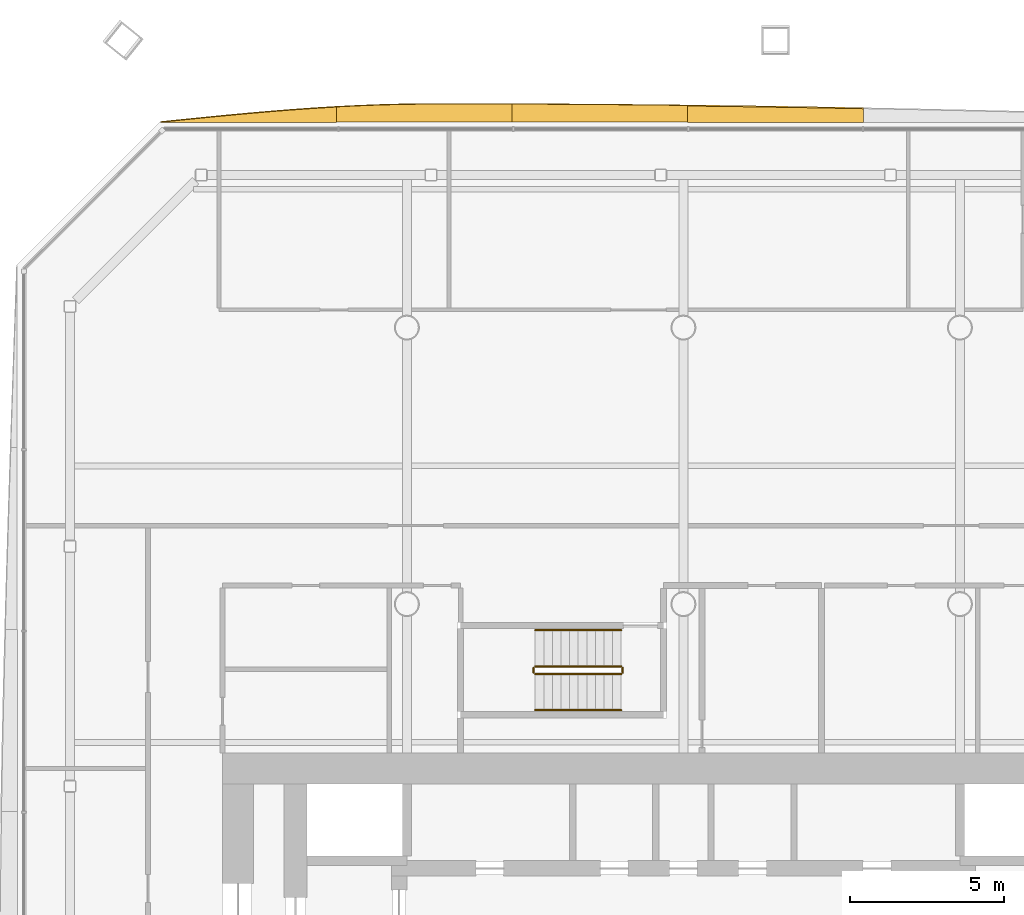
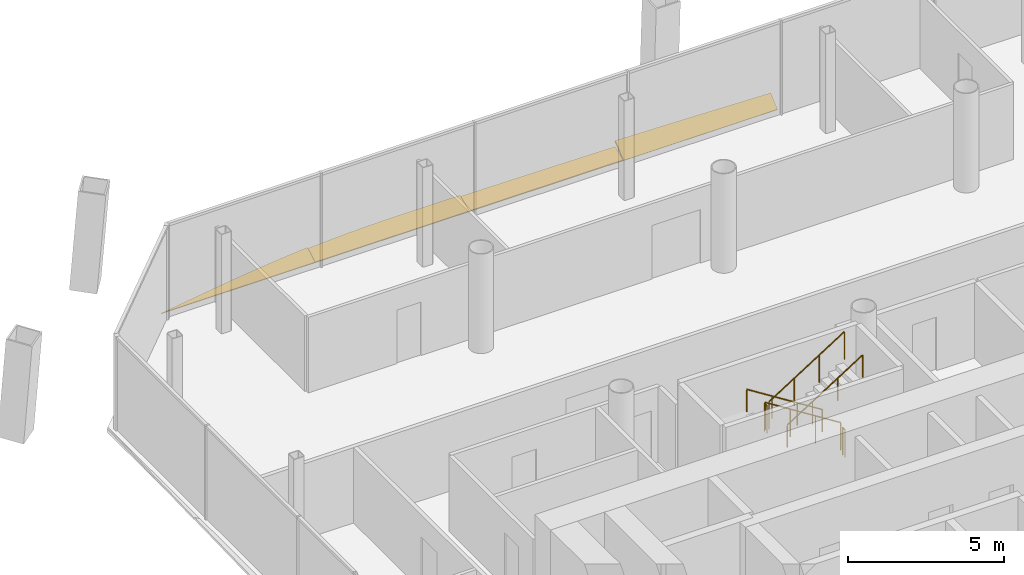
# One storey, part 18 of 19: 6 railings, 4 shading devices.
"""IFC4 building model written with IfcOpenShell, lengths in metres."""

from ifc_helpers import new_model, si_unit, direction, frame, origin, origin_2d, place, context, subcontext, project, spatial, polyline, circle, outline, extrude, material, layer, layer_set, type_object, element, save


model = new_model("IFC4")

# Units and contexts
model_context = context("Model", 3, precision=1e-05, world=origin(), true_north=direction((0.0, 1.0)))
body_context = subcontext(model_context, "Body", "Model", "MODEL_VIEW")
ifc_project = project(units=[si_unit("LENGTHUNIT", "METRE"), si_unit("AREAUNIT", "SQUARE_METRE"), si_unit("VOLUMEUNIT", "CUBIC_METRE"), si_unit("PLANEANGLEUNIT", "RADIAN"), si_unit("MASSUNIT", "GRAM", prefix="KILO")], contexts=[model_context])

# Site, building, storey
site_placement = place(None, origin())
site = spatial("IfcSite", under=ifc_project, at=site_placement, CompositionType="ELEMENT")
building_placement = place(site_placement, origin())
building = spatial("IfcBuilding", under=site, at=building_placement, Name="Tskaro Facet Tower", CompositionType="ELEMENT")
storey_placement = place(building_placement, frame((0.0, 0.0, 89.39990234375)))
storey = spatial("IfcBuildingStorey", under=building, at=storey_placement, Name="L21", CompositionType="ELEMENT", Elevation=89.39990234375)

# Shading devices
ifc_material_1 = material(Name="Bronze anodised aluminium 6063-T6", Category="aluminium")
ifc_layer = layer(ifc_material_1, 0.06005859375, Name="Bronze anodised aluminium 6063-T6")
ifc_layer_set = layer_set([ifc_layer], Name="Bronze anodised aluminium 6063-T6")
shading_device_type = type_object("IfcShadingDeviceType", Name="Bronze sun blade (FN1)", PredefinedType="USERDEFINED", material=ifc_layer_set)
shading_device_1_placement = place(storey_placement, frame((5.859619140625, 24.67431640625, 0.046142578125), z_axis=(2.760687e-06, -0.642617617315, 0.766187051515), x_axis=(-0.999999999996, -1.774066e-06, 2.115203e-06)))
element("IfcShadingDevice", 1, at=shading_device_1_placement, inside=storey, type_object=shading_device_type, Name="Fin blade north 4", ObjectType="FIN", PredefinedType="USERDEFINED", context=body_context, shape_type="SweptSolid", body=[
    extrude(outline(polyline([(0.0, 0.0), (5.719238281228206, 0.0), (5.719238281214673, -0.7013305229390294), (5.004394531317567, -0.6898897850547137), (4.289306640545608, -0.6774172078133411), (3.5744628906651985, -0.6640696802816393), (2.859619140534933, -0.6496903133928806), (2.1447753907545035, -0.6347799426661453), (1.4299316407242186, -0.6188377325823531), (0.7148437498190785, -0.6018636831415038), (-1.1122612033761948e-10, -0.5843586298626778), (0.0, 0.0)])), origin(), (0.0, 0.0, -1.0), 0.06005859375),
])
shading_device_2_placement = place(storey_placement, frame((0.140380859375, 24.6923828125, 0.056396484375), z_axis=(1.2445672e-05, -0.34214732726, 0.939646319789), x_axis=(-0.999999999923, -4.258253e-06, 1.169453e-05)))
element("IfcShadingDevice", 2, at=shading_device_2_placement, inside=storey, type_object=shading_device_type, Name="Fin blade north 5", ObjectType="FIN", PredefinedType="USERDEFINED", context=body_context, shape_type="SweptSolid", body=[
    extrude(outline(polyline([(0.0, 0.0), (5.718994140182079, -4.844176462263668e-21), (5.718994140756746, -0.6199516959480814), (5.0041503900515245, -0.6165517597189207), (4.289306638570418, -0.612609479747814), (3.574462891247762, -0.6077495764174667), (2.859619140294112, -0.6022637972828477), (2.144531250018821, -0.5957768627266624), (1.4296875006322396, -0.5885181785887209), (0.7148437504697737, -0.5807171507088332), (-1.2444612609444995e-09, -0.5718314353450535), (0.0, 0.0)])), origin(), (0.0, 0.0, -1.0), 0.06005859375),
])
shading_device_3_placement = place(storey_placement, frame((-5.57861328125, 24.687744140625, 0.054443359375), z_axis=(1.8138576e-05, -0.422770479154, 0.906236791146), x_axis=(-0.999999999835, -7.668455e-06, 1.6437845e-05)))
element("IfcShadingDevice", 3, at=shading_device_3_placement, inside=storey, type_object=shading_device_type, Name="Fin blade north 6", ObjectType="FIN", PredefinedType="USERDEFINED", context=body_context, shape_type="SweptSolid", body=[
    extrude(outline(polyline([(0.0, 0.0), (5.719238280309162, 0.0), (5.719238281564813, -0.5455682629978303), (5.004394531237852, -0.584889299159038), (4.289550780354723, -0.6150364147705348), (3.574462888021683, -0.6354638959500424), (2.8596191413739764, -0.6460537089299647), (2.4707031226061584, -0.6475876351277718), (2.144775390156956, -0.647366385911147), (1.4299316418779493, -0.6465994228122434), (0.7150878911891942, -0.644962281165407), (-2.5342683388773226e-09, -0.6424549609706377), (0.0, 0.0)])), origin(), (0.0, 0.0, -1.0), 0.06005859375),
])
shading_device_4_placement = place(storey_placement, frame((-11.2978515625, 24.68310546875, 0.052001953125), z_axis=(1.6691179e-05, -0.500404879325, 0.865791520211), x_axis=(-0.999999999861, -8.352347e-06, 1.4451081e-05)))
element("IfcShadingDevice", 4, at=shading_device_4_placement, inside=storey, type_object=shading_device_type, Name="Fin blade north 7", ObjectType="FIN", PredefinedType="USERDEFINED", context=body_context, shape_type="SweptSolid", body=[
    extrude(outline(polyline([(0.0, 0.0), (5.7192382804533235, -4.8443832574168066e-21), (5.004150392072443, -0.08466989870950581), (4.289306640399881, -0.16779424636451049), (3.5744628909281144, -0.24873891831633382), (2.859619140290693, -0.32541344458467925), (2.1447753910769634, -0.39706153136085814), (1.4296874981951133, -0.46268254651616464), (0.7148437480737665, -0.5207639024332212), (-1.4009912996789804e-09, -0.570972055069126), (0.0, 0.0)])), origin(), (0.0, 0.0, -1.0), 0.06005859375),
])

# Railings
ifc_material_2 = material(Name="Stainless steel", Category="steel")
railing_type_1 = type_object("IfcRailingType", Name="RL-GUARD-1100", PredefinedType="GUARDRAIL", material=ifc_material_2)
railing_1_placement = place(storey_placement, frame((-2.02490234375, 6.97509765625, 0.177490234375)))
element("IfcRailing", 5, at=railing_1_placement, inside=storey, type_object=railing_type_1, Name="L21 ST-3 stair guard 1", PredefinedType="GUARDRAIL", context=body_context, shape_type="SweptSolid", body=[
    extrude(circle(Radius=0.02392578125, at=origin_2d()), frame((0.0, 0.0, 1.076171875), z_axis=(-0.844908973607, 0.0, 0.534910110503), x_axis=(0.0, -1.0, 0.0)), (0.0, 0.0, 1.0), 3.31396484375),
    extrude(circle(Radius=0.02099609375, at=origin_2d()), origin(), (0.0, 0.0, 1.0), 1.052001953125),
    extrude(circle(Radius=0.02099609375, at=origin_2d()), frame((-0.933349609375, 0.0, 0.5908203125)), (0.0, 0.0, 1.0), 1.052001953125),
    extrude(circle(Radius=0.02099609375, at=origin_2d()), frame((-1.86669921875, 0.0, 1.181884765625)), (0.0, 0.0, 1.0), 1.052001953125),
    extrude(circle(Radius=0.02099609375, at=origin_2d()), frame((-2.800048828125, 0.0, 1.772705078125)), (0.0, 0.0, 1.0), 1.052001953125),
])
railing_2_placement = place(storey_placement, frame((-4.875, 6.925048828125, 1.9501953125)))
element("IfcRailing", 6, at=railing_2_placement, inside=storey, type_object=railing_type_1, Name="L21 ST-3 stair guard 2", PredefinedType="GUARDRAIL", context=body_context, shape_type="SweptSolid", body=[
    extrude(circle(Radius=0.02392578125, at=origin_2d()), frame((0.0, 0.0, 1.076171875), z_axis=(0.0, -1.0, 0.0), x_axis=(1.0, 0.0, 0.0)), (0.0, 0.0, 1.0), 0.150146484375),
    extrude(circle(Radius=0.02099609375, at=origin_2d()), origin(), (0.0, 0.0, 1.0), 1.052001953125),
    extrude(circle(Radius=0.02099609375, at=origin_2d()), frame((0.0, -0.150146484375, 0.0)), (0.0, 0.0, 1.0), 1.052001953125),
])
railing_3_placement = place(storey_placement, frame((-4.824951171875, 6.72509765625, 2.12744140625)))
element("IfcRailing", 7, at=railing_3_placement, inside=storey, type_object=railing_type_1, Name="L21 ST-3 stair guard 3", PredefinedType="GUARDRAIL", context=body_context, shape_type="SweptSolid", body=[
    extrude(circle(Radius=0.02392578125, at=origin_2d()), frame((0.0, 0.0, 1.076171875), z_axis=(0.844908973607, 0.0, 0.534910110503), x_axis=(0.0, 1.0, 0.0)), (0.0, 0.0, 1.0), 3.31396484375),
    extrude(circle(Radius=0.02099609375, at=origin_2d()), origin(), (0.0, 0.0, 1.0), 1.052001953125),
    extrude(circle(Radius=0.02099609375, at=origin_2d()), frame((0.933349609375, 0.0, 0.5908203125)), (0.0, 0.0, 1.0), 1.052001953125),
    extrude(circle(Radius=0.02099609375, at=origin_2d()), frame((1.86669921875, 0.0, 1.181884765625)), (0.0, 0.0, 1.0), 1.052001953125),
    extrude(circle(Radius=0.02099609375, at=origin_2d()), frame((2.800048828125, 0.0, 1.772705078125)), (0.0, 0.0, 1.0), 1.052001953125),
])
railing_4_placement = place(storey_placement, frame((-1.97509765625, 6.925048828125, 0.0)))
element("IfcRailing", 8, at=railing_4_placement, inside=storey, type_object=railing_type_1, Name="L21 ST-3 stair guard 4", PredefinedType="GUARDRAIL", context=body_context, shape_type="SweptSolid", body=[
    extrude(circle(Radius=0.02392578125, at=origin_2d()), frame((0.0, 0.0, 1.076171875), z_axis=(0.0, -1.0, 0.0), x_axis=(1.0, 0.0, 0.0)), (0.0, 0.0, 1.0), 0.150146484375),
    extrude(circle(Radius=0.02099609375, at=origin_2d()), origin(), (0.0, 0.0, 1.0), 1.052001953125),
    extrude(circle(Radius=0.02099609375, at=origin_2d()), frame((0.0, -0.150146484375, 0.0)), (0.0, 0.0, 1.0), 1.052001953125),
])
railing_type_2 = type_object("IfcRailingType", Name="RL-HANDRAIL-900", PredefinedType="HANDRAIL", material=ifc_material_2)
railing_5_placement = place(storey_placement, frame((-2.02490234375, 8.14990234375, 0.177490234375)))
element("IfcRailing", 9, at=railing_5_placement, inside=storey, type_object=railing_type_2, Name="L21 ST-3 stair handrail 1", PredefinedType="HANDRAIL", context=body_context, shape_type="SweptSolid", body=[
    extrude(circle(Radius=0.02392578125, at=origin_2d()), frame((0.0, 0.0, 0.8759765625), z_axis=(-0.844908973607, 0.0, 0.534910110503), x_axis=(0.0, -1.0, 0.0)), (0.0, 0.0, 1.0), 3.31396484375),
    extrude(circle(Radius=0.02099609375, at=origin_2d()), origin(), (0.0, 0.0, 1.0), 0.851806640625),
    extrude(circle(Radius=0.02099609375, at=origin_2d()), frame((-0.933349609375, 0.0, 0.5908203125)), (0.0, 0.0, 1.0), 0.851806640625),
    extrude(circle(Radius=0.02099609375, at=origin_2d()), frame((-1.86669921875, 0.0, 1.181884765625)), (0.0, 0.0, 1.0), 0.851806640625),
    extrude(circle(Radius=0.02099609375, at=origin_2d()), frame((-2.800048828125, 0.0, 1.772705078125)), (0.0, 0.0, 1.0), 0.851806640625),
])
railing_6_placement = place(storey_placement, frame((-4.824951171875, 5.550048828125, 2.12744140625)))
element("IfcRailing", 10, at=railing_6_placement, inside=storey, type_object=railing_type_2, Name="L21 ST-3 stair handrail 2", PredefinedType="HANDRAIL", context=body_context, shape_type="SweptSolid", body=[
    extrude(circle(Radius=0.02392578125, at=origin_2d()), frame((0.0, 0.0, 0.8759765625), z_axis=(0.844908973607, 0.0, 0.534910110503), x_axis=(0.0, 1.0, 0.0)), (0.0, 0.0, 1.0), 3.31396484375),
    extrude(circle(Radius=0.02099609375, at=origin_2d()), origin(), (0.0, 0.0, 1.0), 0.851806640625),
    extrude(circle(Radius=0.02099609375, at=origin_2d()), frame((0.933349609375, 0.0, 0.5908203125)), (0.0, 0.0, 1.0), 0.851806640625),
    extrude(circle(Radius=0.02099609375, at=origin_2d()), frame((1.86669921875, 0.0, 1.181884765625)), (0.0, 0.0, 1.0), 0.851806640625),
    extrude(circle(Radius=0.02099609375, at=origin_2d()), frame((2.800048828125, 0.0, 1.772705078125)), (0.0, 0.0, 1.0), 0.851806640625),
])

save(model, "model.ifc")
